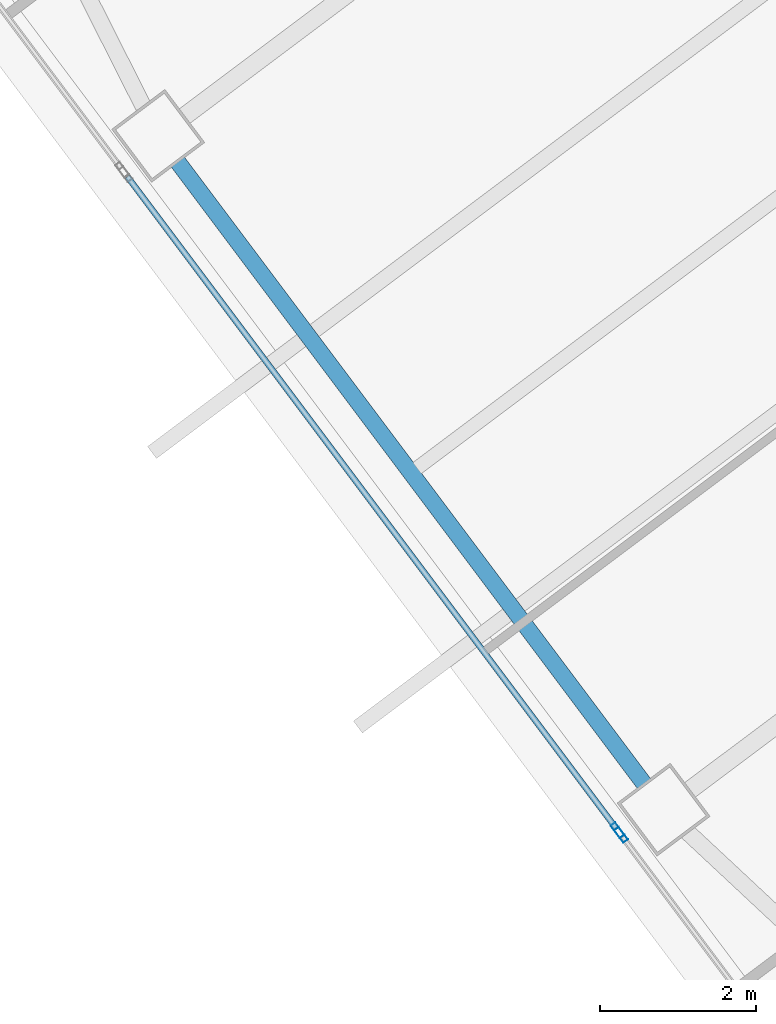
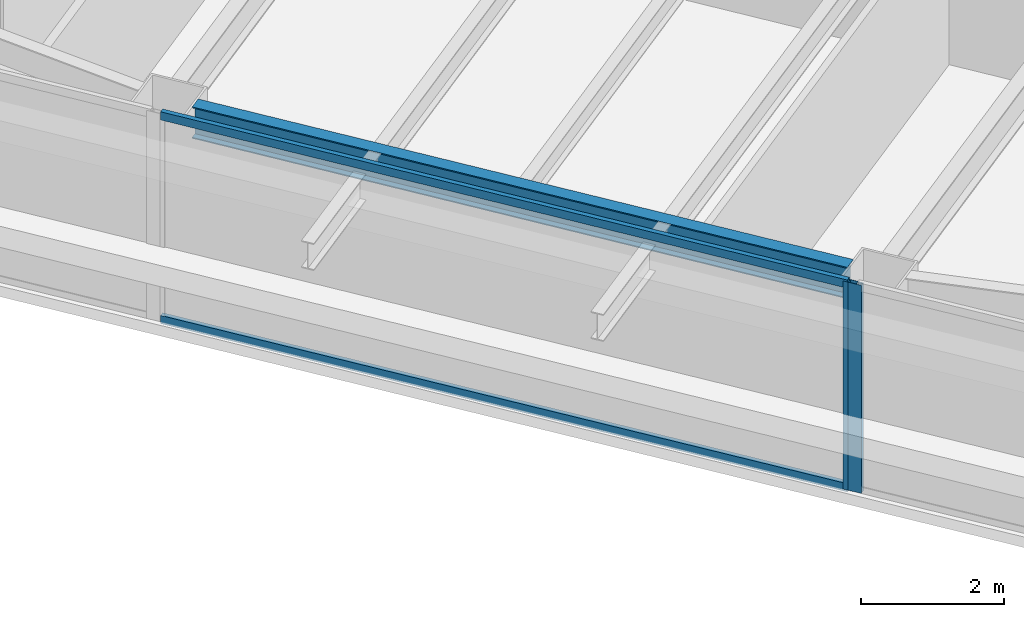
# One storey, part 19 of 46: 4 members, 1 beam, 2 elements without a shape of their own.
"""IFC4 building model written with IfcOpenShell, lengths in metres."""

from ifc_helpers import new_model, si_unit, direction, frame, origin, origin_2d, place, context, subcontext, project, spatial, hollow_rectangle, i_section, extrude, material, material_profile, profile_set, type_object, element, aggregate, save


model = new_model("IFC4")

# Units and contexts
model_context = context("Model", 3, precision=1e-05, world=origin(), true_north=direction((0.0, 1.0)))
body_context = subcontext(model_context, "Body", "Model", "MODEL_VIEW")
ifc_project = project(units=[si_unit("LENGTHUNIT", "METRE"), si_unit("AREAUNIT", "SQUARE_METRE"), si_unit("VOLUMEUNIT", "CUBIC_METRE"), si_unit("PLANEANGLEUNIT", "RADIAN"), si_unit("MASSUNIT", "GRAM", prefix="KILO")], contexts=[model_context])

# Site, building, storey
site_placement = place(None, origin())
site = spatial("IfcSite", under=ifc_project, at=site_placement, CompositionType="ELEMENT")
building_placement = place(site_placement, origin())
building = spatial("IfcBuilding", under=site, at=building_placement, Name="Tashvorn Skyway Center", CompositionType="ELEMENT")
storey_placement = place(building_placement, frame((0.0, 0.0, 139.25)))
storey = spatial("IfcBuildingStorey", under=building, at=storey_placement, Name="L37", CompositionType="ELEMENT", Elevation=139.25)

# Beam
ifc_material_1 = material(Name="Steel ASTM A992 Grade 50", Category="steel")
ifc_material_profile_1 = material_profile(ifc_material_1, i_section(OverallWidth=0.2109375, OverallDepth=0.5390625, WebThickness=0.01171875, FlangeThickness=0.018798828125, at=origin_2d()), Name="W21X73")
ifc_profile_set_1 = profile_set([ifc_material_profile_1], Name="Steel ASTM A992 Grade 50")
beam_type = type_object("IfcBeamType", Name="BM-SPANDREL-W21X73", PredefinedType="SPANDREL", material=ifc_profile_set_1)
beam_placement = place(storey_placement, frame((96.89208984375, 25.39404296875, 3.1005859375), z_axis=(0.599988234018, -0.800008824351, 0.0), x_axis=(0.800008824351, 0.599988234018, 0.0)))
element("IfcBeam", 1, at=beam_placement, inside=storey, type_object=beam_type, Name="Tower 2 L37 Spandrel Beam 11", PredefinedType="SPANDREL", context=body_context, shape_type="SweptSolid", body=[
    extrude(i_section(OverallWidth=0.2109375, OverallDepth=0.5390625, WebThickness=0.01171875, FlangeThickness=0.018798828125, at=origin_2d()), origin(), (0.0, 0.0, 1.0), 9.9599609375),
])

# Curtain wall, member
ifc_material_2 = material(Name="Thermally broken bronze-anodized aluminium 6063-T6", Category="aluminium")
curtain_wall_type = type_object("IfcCurtainWallType", Name="CW-CW-Z3", PredefinedType="NOTDEFINED", material=ifc_material_2)
curtain_wall_1_placement = place(storey_placement, origin())
curtain_wall_1 = element("IfcCurtainWall", 2, at=curtain_wall_1_placement, inside=storey, type_object=curtain_wall_type, Name="Tower 2 L37 West Unitised Curtain Wall Glazing Group 2", PredefinedType="NOTDEFINED")
ifc_material_profile_2 = material_profile(ifc_material_2, hollow_rectangle(XDim=0.074951171875, YDim=0.199951171875, WallThickness=0.00439453125, at=origin_2d()), Name="ALU-MULL-75x200")
ifc_profile_set_2 = profile_set([ifc_material_profile_2], Name="Thermally broken bronze-anodized aluminium 6063-T6")
member_type_1 = type_object("IfcMemberType", Name="CWM-CW-Z3", PredefinedType="MULLION", material=ifc_profile_set_2)
member_1_placement = place(storey_placement, frame((102.574462890625, 16.767333984375, 0.0), z_axis=(0.0, 0.0, 1.0), x_axis=(-0.800003400519, -0.599995465948, 0.0)))
member_1 = element("IfcMember", 3, at=member_1_placement, type_object=member_type_1, Name="CW-Z3 mullion 2", PredefinedType="MULLION", context=body_context, shape_type="SweptSolid", body=[
    extrude(hollow_rectangle(XDim=0.074951171875, YDim=0.199951171875, WallThickness=0.00439453125, at=origin_2d()), origin(), (0.0, 0.0, 1.0), 3.550048828125),
])
aggregate(curtain_wall_1, [member_1])

# Curtain wall, members
curtain_wall_2_placement = place(storey_placement, origin())
curtain_wall_2 = element("IfcCurtainWall", 4, at=curtain_wall_2_placement, inside=storey, type_object=curtain_wall_type, Name="Tower 2 L37 West Unitised Curtain Wall Glazing Group 3", PredefinedType="NOTDEFINED")
member_2_placement = place(storey_placement, frame((102.529541015625, 16.827392578125, 0.0), z_axis=(0.0, 0.0, 1.0), x_axis=(-0.800002266987, -0.599996977339, 0.0)))
member_2 = element("IfcMember", 5, at=member_2_placement, type_object=member_type_1, Name="CW-Z3 mullion 1", PredefinedType="MULLION", context=body_context, shape_type="SweptSolid", body=[
    extrude(hollow_rectangle(XDim=0.074951171875, YDim=0.199951171875, WallThickness=0.00439453125, at=origin_2d()), origin(), (0.0, 0.0, 1.0), 3.550048828125),
])
ifc_material_profile_3 = material_profile(ifc_material_2, hollow_rectangle(XDim=0.074951171875, YDim=0.139892578125, WallThickness=0.004150390625, at=origin_2d()), Name="ALU-TRAN-75x140")
ifc_profile_set_3 = profile_set([ifc_material_profile_3], Name="Thermally broken bronze-anodized aluminium 6063-T6")
member_type_2 = type_object("IfcMemberType", Name="CWT-CW-Z3", PredefinedType="USERDEFINED", material=ifc_profile_set_3)
member_3_placement = place(storey_placement, frame((102.507080078125, 16.857421875, 0.03759765625), z_axis=(-0.599996257181, 0.800002807101, 0.0), x_axis=(-0.800002807101, -0.599996257181, 0.0)))
member_3 = element("IfcMember", 6, at=member_3_placement, type_object=member_type_2, Name="CW-Z3 transom 1.1", ObjectType="TRANSOM", PredefinedType="USERDEFINED", context=body_context, shape_type="SweptSolid", body=[
    extrude(hollow_rectangle(XDim=0.074951171875, YDim=0.139892578125, WallThickness=0.004150390625, at=origin_2d()), origin(), (0.0, 0.0, 1.0), 10.436767578125),
])
member_4_placement = place(storey_placement, frame((102.507080078125, 16.857421875, 3.512451171875), z_axis=(-0.599996257181, 0.800002807101, 0.0), x_axis=(-0.800002807101, -0.599996257181, 0.0)))
member_4 = element("IfcMember", 7, at=member_4_placement, type_object=member_type_2, Name="CW-Z3 transom 1.2", ObjectType="TRANSOM", PredefinedType="USERDEFINED", context=body_context, shape_type="SweptSolid", body=[
    extrude(hollow_rectangle(XDim=0.074951171875, YDim=0.139892578125, WallThickness=0.004150390625, at=origin_2d()), origin(), (0.0, 0.0, 1.0), 10.436767578125),
])
aggregate(curtain_wall_2, [member_2, member_3, member_4])

save(model, "model.ifc")
